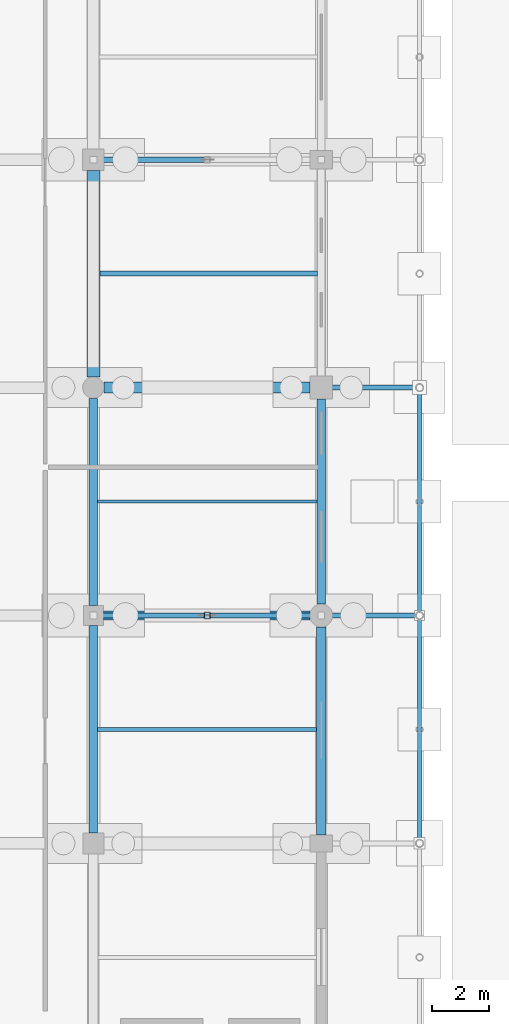
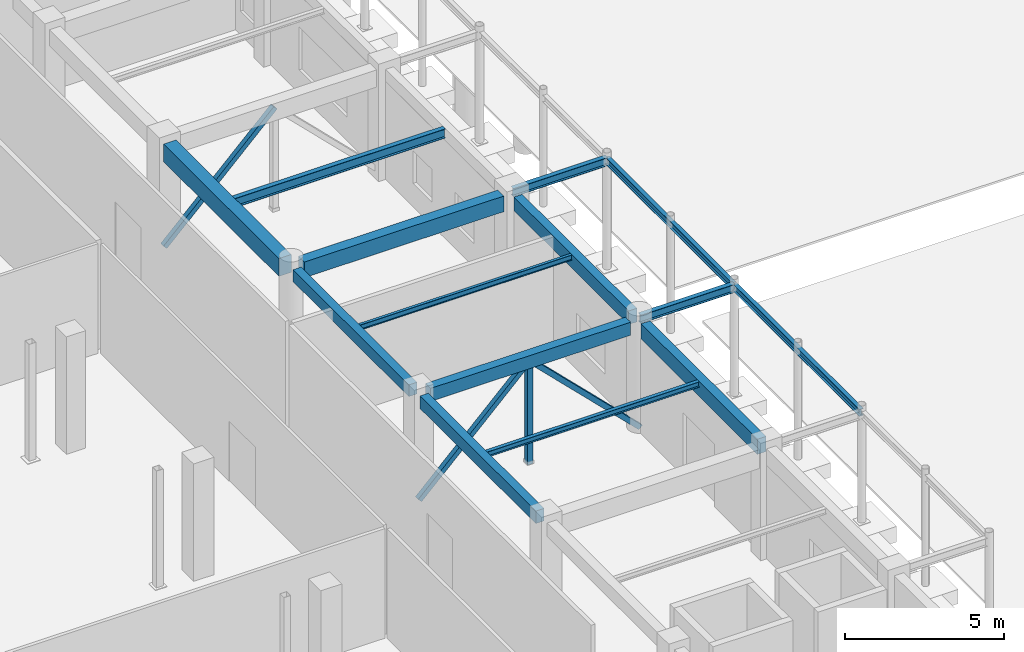
# One storey, part 57 of 166: 14 beams, 4 members.
"""IFC4 building model written with IfcOpenShell, lengths in metres."""

from ifc_helpers import new_model, si_unit, direction, frame, origin, origin_2d, place, context, subcontext, project, spatial, rectangle, hollow_rectangle, i_section, extrude, material, material_profile, profile_set, type_object, element, save


model = new_model("IFC4")

# Units and contexts
model_context = context("Model", 3, precision=1e-05, world=origin(), true_north=direction((0.0, 1.0)))
body_context = subcontext(model_context, "Body", "Model", "MODEL_VIEW")
ifc_project = project(units=[si_unit("LENGTHUNIT", "METRE"), si_unit("AREAUNIT", "SQUARE_METRE"), si_unit("VOLUMEUNIT", "CUBIC_METRE"), si_unit("PLANEANGLEUNIT", "RADIAN"), si_unit("MASSUNIT", "GRAM", prefix="KILO")], contexts=[model_context])

# Site, building, storey
site_placement = place(None, origin())
site = spatial("IfcSite", under=ifc_project, at=site_placement, CompositionType="ELEMENT")
building_placement = place(site_placement, origin())
building = spatial("IfcBuilding", under=site, at=building_placement, Name="Kharva Crest Polytechnic", CompositionType="ELEMENT")
storey_placement = place(building_placement, origin())
storey = spatial("IfcBuildingStorey", under=building, at=storey_placement, Name="L00", CompositionType="ELEMENT", Elevation=0.0)

# Beams
ifc_material_1 = material(Name="Concrete C35/45", Category="concrete")
ifc_material_profile_1 = material_profile(ifc_material_1, rectangle(XDim=0.300048828125, YDim=0.449951171875, at=origin_2d()), Name="RECT 300 X 450")
ifc_profile_set_1 = profile_set([ifc_material_profile_1], Name="Concrete C35/45")
beam_type_1 = type_object("IfcBeamType", Name="BM-RC-300X450", PredefinedType="BEAM", material=ifc_profile_set_1)
beam_1_placement = place(storey_placement, frame((40.0, 63.14990234375, 3.9951171875), z_axis=(0.0, 1.0, 0.0), x_axis=(-1.0, 0.0, 0.0)))
element("IfcBeam", 1, at=beam_1_placement, inside=storey, type_object=beam_type_1, Name="L00 Girder 6/J-K", PredefinedType="BEAM", context=body_context, shape_type="SweptSolid", body=[
    extrude(rectangle(XDim=0.300048828125, YDim=0.449951171875, at=origin_2d()), origin(), (0.0, 0.0, 1.0), 7.275146484375),
])
ifc_material_profile_2 = material_profile(ifc_material_1, rectangle(XDim=0.300048828125, YDim=0.47998046875, at=origin_2d()), Name="RECT 300 X 480")
ifc_profile_set_2 = profile_set([ifc_material_profile_2], Name="Concrete C35/45")
beam_type_2 = type_object("IfcBeamType", Name="BM-RC-300X480", PredefinedType="BEAM", material=ifc_profile_set_2)
beam_2_placement = place(storey_placement, frame((40.0, 55.169921875, 3.97998046875), z_axis=(0.0, 1.0, 0.0), x_axis=(-1.0, 0.0, 0.0)))
element("IfcBeam", 2, at=beam_2_placement, inside=storey, type_object=beam_type_2, Name="L00 Girder 6/H-J", PredefinedType="BEAM", context=body_context, shape_type="SweptSolid", body=[
    extrude(rectangle(XDim=0.300048828125, YDim=0.47998046875, at=origin_2d()), origin(), (0.0, 0.0, 1.0), 7.280029296875),
])
ifc_material_profile_3 = material_profile(ifc_material_1, rectangle(XDim=0.320068359375, YDim=0.5, at=origin_2d()), Name="RECT 320 X 500")
ifc_profile_set_3 = profile_set([ifc_material_profile_3], Name="Concrete C35/45")
beam_type_3 = type_object("IfcBeamType", Name="BM-RC-320X500", PredefinedType="BEAM", material=ifc_profile_set_3)
beam_3_placement = place(storey_placement, frame((40.35009765625, 62.800048828125, 3.969970703125), z_axis=(1.0, 0.0, 0.0), x_axis=(0.0, 1.0, 0.0)))
element("IfcBeam", 3, at=beam_3_placement, inside=storey, type_object=beam_type_3, Name="L00 Beam J/6-7", PredefinedType="BEAM", context=body_context, shape_type="SweptSolid", body=[
    extrude(rectangle(XDim=0.320068359375, YDim=0.5, at=origin_2d()), origin(), (0.0, 0.0, 1.0), 7.25),
])
ifc_material_profile_4 = material_profile(ifc_material_1, rectangle(XDim=0.3798828125, YDim=0.60009765625, at=origin_2d()), Name="RECT 380 X 600")
ifc_profile_set_4 = profile_set([ifc_material_profile_4], Name="Concrete C35/45")
beam_type_4 = type_object("IfcBeamType", Name="BM-RC-380X600", PredefinedType="BEAM", material=ifc_profile_set_4)
beam_4_placement = place(storey_placement, frame((40.375, 70.800048828125, 3.919921875), z_axis=(1.0, 0.0, 0.0), x_axis=(0.0, 1.0, 0.0)))
element("IfcBeam", 4, at=beam_4_placement, inside=storey, type_object=beam_type_4, Name="L00 Beam K/6-7", PredefinedType="BEAM", context=body_context, shape_type="SweptSolid", body=[
    extrude(rectangle(XDim=0.3798828125, YDim=0.60009765625, at=origin_2d()), origin(), (0.0, 0.0, 1.0), 7.22509765625),
])
ifc_material_profile_5 = material_profile(ifc_material_1, rectangle(XDim=0.449951171875, YDim=0.679931640625, at=origin_2d()), Name="RECT 450 X 680")
ifc_profile_set_5 = profile_set([ifc_material_profile_5], Name="Concrete C35/45")
beam_type_5 = type_object("IfcBeamType", Name="BM-RC-450X680", PredefinedType="BEAM", material=ifc_profile_set_5)
beam_5_placement = place(storey_placement, frame((40.0, 71.175048828125, 3.8798828125), z_axis=(0.0, 1.0, 0.0), x_axis=(-1.0, 0.0, 0.0)))
element("IfcBeam", 5, at=beam_5_placement, inside=storey, type_object=beam_type_5, Name="L00 Girder 6/K-L", PredefinedType="BEAM", context=body_context, shape_type="SweptSolid", body=[
    extrude(rectangle(XDim=0.449951171875, YDim=0.679931640625, at=origin_2d()), origin(), (0.0, 0.0, 1.0), 7.244873046875),
])
ifc_material_2 = material(Name="Steel S355", Category="steel")
ifc_material_profile_6 = material_profile(ifc_material_2, i_section(OverallWidth=0.10205078125, OverallDepth=0.2060546875, WebThickness=0.006103515625, FlangeThickness=0.008056640625, at=origin_2d()), Name="W200X22.5")
ifc_profile_set_6 = profile_set([ifc_material_profile_6], Name="Steel S355")
beam_type_6 = type_object("IfcBeamType", Name="BM-STL-W200X22", PredefinedType="JOIST", material=ifc_profile_set_6)
beam_6_placement = place(storey_placement, frame((40.14990234375, 66.800048828125, 4.116943359375), z_axis=(1.0, 0.0, 0.0), x_axis=(0.0, 1.0, 0.0)))
element("IfcBeam", 6, at=beam_6_placement, inside=storey, type_object=beam_type_6, Name="L00 Floor Joist 3", PredefinedType="JOIST", context=body_context, shape_type="SweptSolid", body=[
    extrude(i_section(OverallWidth=0.10205078125, OverallDepth=0.2060546875, WebThickness=0.006103515625, FlangeThickness=0.008056640625, at=origin_2d()), origin(), (0.0, 0.0, 1.0), 7.7001953125),
])
ifc_material_profile_7 = material_profile(ifc_material_2, i_section(OverallWidth=0.133056640625, OverallDepth=0.20703125, WebThickness=0.005859375, FlangeThickness=0.00830078125, at=origin_2d()), Name="W200X26.6")
ifc_profile_set_7 = profile_set([ifc_material_profile_7], Name="Steel S355")
beam_type_7 = type_object("IfcBeamType", Name="BM-STL-W200X26", PredefinedType="JOIST", material=ifc_profile_set_7)
beam_7_placement = place(storey_placement, frame((40.14990234375, 58.800048828125, 4.116455078125), z_axis=(1.0, 0.0, 0.0), x_axis=(0.0, 1.0, 0.0)))
element("IfcBeam", 7, at=beam_7_placement, inside=storey, type_object=beam_type_7, Name="L00 Floor Joist 2", PredefinedType="JOIST", context=body_context, shape_type="SweptSolid", body=[
    extrude(i_section(OverallWidth=0.133056640625, OverallDepth=0.20703125, WebThickness=0.005859375, FlangeThickness=0.00830078125, at=origin_2d()), origin(), (0.0, 0.0, 1.0), 7.690185546875),
])
ifc_material_profile_8 = material_profile(ifc_material_2, i_section(OverallWidth=0.14794921875, OverallDepth=0.26611328125, WebThickness=0.007568359375, FlangeThickness=0.012939453125, at=origin_2d()), Name="W250X44.8")
ifc_profile_set_8 = profile_set([ifc_material_profile_8], Name="Steel S355")
beam_type_8 = type_object("IfcBeamType", Name="BM-STL-W250X44", PredefinedType="SPANDREL", material=ifc_profile_set_8)
for number, where, z_axis, x_axis, name in (
    (8, (51.449951171875, 54.820068359375, 4.156982421875), (0.0, 1.0, 0.0), (-1.0, 0.0, 0.0), "L00 West Veranda Beam 2"),
    (9, (51.449951171875, 62.820068359375, 4.156982421875), (0.0, 1.0, 0.0), (-1.0, 0.0, 0.0), "L00 West Veranda Beam 3"),
):
    element("IfcBeam", number, at=place(storey_placement, frame(where, z_axis=z_axis, x_axis=x_axis)), inside=storey, type_object=beam_type_8, Name=name, PredefinedType="SPANDREL", context=body_context, shape_type="SweptSolid", body=[
        extrude(i_section(OverallWidth=0.14794921875, OverallDepth=0.26611328125, WebThickness=0.007568359375, FlangeThickness=0.012939453125, at=origin_2d()), origin(), (0.0, 0.0, 1.0), 7.9599609375),
    ])
ifc_material_profile_9 = material_profile(ifc_material_2, i_section(OverallWidth=0.1669921875, OverallDepth=0.31689453125, WebThickness=0.007568359375, FlangeThickness=0.01318359375, at=origin_2d()), Name="W310X52")
ifc_profile_set_9 = profile_set([ifc_material_profile_9], Name="Steel S355")
beam_type_9 = type_object("IfcBeamType", Name="BM-STL-W310X52", PredefinedType="BEAM", material=ifc_profile_set_9)
for number, where, z_axis, x_axis, name in (
    (10, (48.02001953125, 62.800048828125, 4.131591796875), (1.0, 0.0, 0.0), (0.0, 1.0, 0.0), "L00 West Veranda Tie 3"),
    (11, (48.02001953125, 70.800048828125, 4.131591796875), (1.0, 0.0, 0.0), (0.0, 1.0, 0.0), "L00 West Veranda Tie 4"),
):
    element("IfcBeam", number, at=place(storey_placement, frame(where, z_axis=z_axis, x_axis=x_axis)), inside=storey, type_object=beam_type_9, Name=name, PredefinedType="BEAM", context=body_context, shape_type="SweptSolid", body=[
        extrude(i_section(OverallWidth=0.1669921875, OverallDepth=0.31689453125, WebThickness=0.007568359375, FlangeThickness=0.01318359375, at=origin_2d()), origin(), (0.0, 0.0, 1.0), 3.409912109375),
    ])
ifc_material_profile_10 = material_profile(ifc_material_2, i_section(OverallWidth=0.172119140625, OverallDepth=0.35791015625, WebThickness=0.0078125, FlangeThickness=0.01318359375, at=origin_2d()), Name="W360X57.8")
ifc_profile_set_10 = profile_set([ifc_material_profile_10], Name="Steel S355")
beam_type_10 = type_object("IfcBeamType", Name="BM-STL-W360X57", PredefinedType="JOIST", material=ifc_profile_set_10)
beam_8_placement = place(storey_placement, frame((40.22509765625, 74.800048828125, 4.041015625), z_axis=(1.0, 0.0, 0.0), x_axis=(0.0, 1.0, 0.0)))
element("IfcBeam", 12, at=beam_8_placement, inside=storey, type_object=beam_type_10, Name="L00 Floor Joist 4", PredefinedType="JOIST", context=body_context, shape_type="SweptSolid", body=[
    extrude(i_section(OverallWidth=0.172119140625, OverallDepth=0.35791015625, WebThickness=0.0078125, FlangeThickness=0.01318359375, at=origin_2d()), origin(), (0.0, 0.0, 1.0), 7.635009765625),
])

# Members
ifc_material_profile_11 = material_profile(ifc_material_2, hollow_rectangle(XDim=0.179931640625, YDim=0.179931640625, WallThickness=0.008056640625, at=origin_2d()), Name="RHS 180X180X8.0")
ifc_profile_set_11 = profile_set([ifc_material_profile_11], Name="Steel S355")
member_type_1 = type_object("IfcMemberType", Name="MEM-RHS180-BR", PredefinedType="BRACE", material=ifc_profile_set_11)
for number, where, z_axis, x_axis, name in (
    (13, (40.0, 62.800048828125, 0.0), (0.711544263728, 0.0, 0.702641274589), (0.0, 1.0, 0.0), "L00 Braced Frame 1 Diagonal A"),
    (14, (48.0, 62.800048828125, 0.0), (-0.711544263728, 0.0, 0.702641274589), (0.0, -1.0, 0.0), "L00 Braced Frame 1 Diagonal B"),
    (15, (40.0, 78.800048828125, 0.0), (0.711544263728, 0.0, 0.702641274589), (0.0, 1.0, 0.0), "L00 Braced Frame 4 Diagonal A"),
):
    element("IfcMember", number, at=place(storey_placement, frame(where, z_axis=z_axis, x_axis=x_axis)), inside=storey, type_object=member_type_1, Name=name, PredefinedType="BRACE", context=body_context, shape_type="SweptSolid", body=[
        extrude(hollow_rectangle(XDim=0.179931640625, YDim=0.179931640625, WallThickness=0.008056640625, at=origin_2d()), origin(), (0.0, 0.0, 1.0), 5.62158203125),
    ])
ifc_material_profile_12 = material_profile(ifc_material_2, hollow_rectangle(XDim=0.199951171875, YDim=0.199951171875, WallThickness=0.008056640625, at=origin_2d()), Name="RHS 200X200X8.0")
ifc_profile_set_12 = profile_set([ifc_material_profile_12], Name="Steel S355")
member_type_2 = type_object("IfcMemberType", Name="MEM-RHS200-ST", PredefinedType="STRUT", material=ifc_profile_set_12)
member_placement = place(storey_placement, frame((44.0, 62.800048828125, 0.0), z_axis=(0.0, 0.0, 1.0), x_axis=(1.0, 0.0, 0.0)))
element("IfcMember", 16, at=member_placement, inside=storey, type_object=member_type_2, Name="L00 Braced Frame 1 King Strut", PredefinedType="STRUT", context=body_context, shape_type="SweptSolid", body=[
    extrude(hollow_rectangle(XDim=0.199951171875, YDim=0.199951171875, WallThickness=0.008056640625, at=origin_2d()), origin(), (0.0, 0.0, 1.0), 3.949951171875),
])

# Beams
ifc_material_profile_13 = material_profile(ifc_material_1, rectangle(XDim=0.300048828125, YDim=0.52001953125, at=origin_2d()), Name="RECT 300 X 520")
ifc_profile_set_13 = profile_set([ifc_material_profile_13], Name="Concrete C35/45")
beam_type_11 = type_object("IfcBeamType", Name="SP-RC-300X520", PredefinedType="SPANDREL", material=ifc_profile_set_13)
beam_9_placement = place(storey_placement, frame((48.0, 63.199951171875, 3.9599609375), z_axis=(0.0, 1.0, 0.0), x_axis=(-1.0, 0.0, 0.0)))
element("IfcBeam", 17, at=beam_9_placement, inside=storey, type_object=beam_type_11, Name="L00 Girder 7/J-K", PredefinedType="SPANDREL", context=body_context, shape_type="SweptSolid", body=[
    extrude(rectangle(XDim=0.300048828125, YDim=0.52001953125, at=origin_2d()), origin(), (0.0, 0.0, 1.0), 7.199951171875),
])
ifc_material_profile_14 = material_profile(ifc_material_1, rectangle(XDim=0.320068359375, YDim=0.580078125, at=origin_2d()), Name="RECT 320 X 580")
ifc_profile_set_14 = profile_set([ifc_material_profile_14], Name="Concrete C35/45")
beam_type_12 = type_object("IfcBeamType", Name="SP-RC-320X580", PredefinedType="SPANDREL", material=ifc_profile_set_14)
beam_10_placement = place(storey_placement, frame((48.0, 55.10009765625, 3.929931640625), z_axis=(0.0, 1.0, 0.0), x_axis=(-1.0, 0.0, 0.0)))
element("IfcBeam", 18, at=beam_10_placement, inside=storey, type_object=beam_type_12, Name="L00 Girder 7/H-J", PredefinedType="SPANDREL", context=body_context, shape_type="SweptSolid", body=[
    extrude(rectangle(XDim=0.320068359375, YDim=0.580078125, at=origin_2d()), origin(), (0.0, 0.0, 1.0), 7.2998046875),
])

save(model, "model.ifc")
